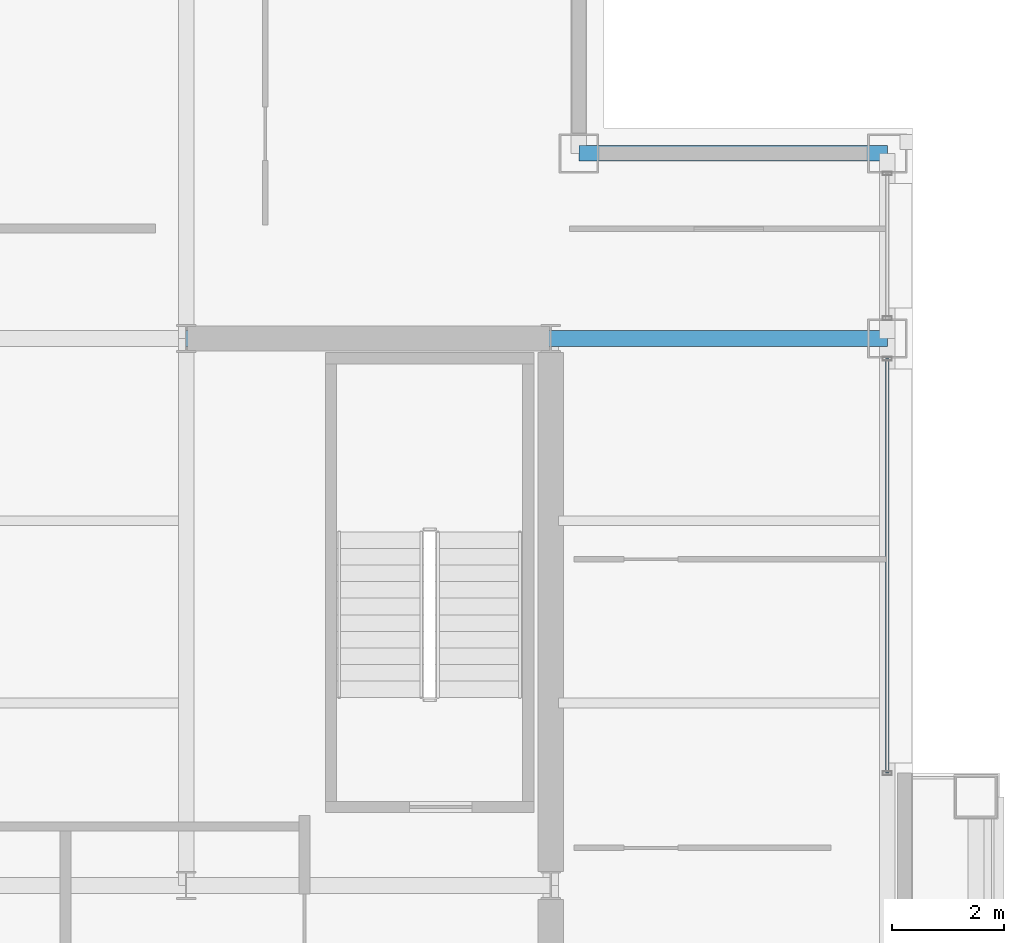
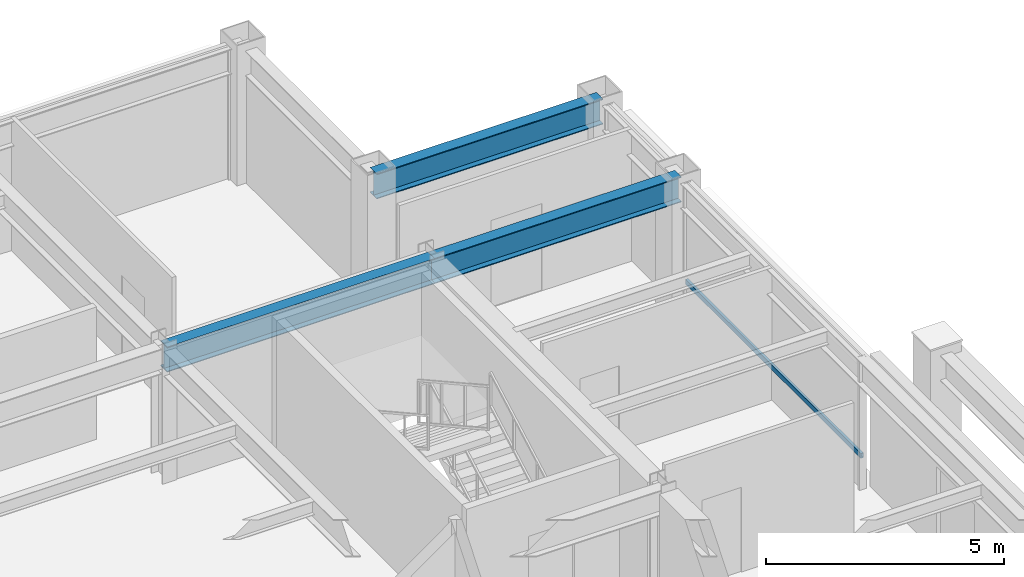
# One storey, part 17 of 29: 3 beams, 1 member, 1 element without a shape of its own.
"""IFC4 building model written with IfcOpenShell, lengths in metres."""

from ifc_helpers import new_model, si_unit, direction, frame, origin, origin_2d, place, context, subcontext, project, spatial, hollow_rectangle, i_section, extrude, material, layer, layer_set, material_profile, profile_set, type_object, element, aggregate, save


model = new_model("IFC4")

# Units and contexts
model_context = context("Model", 3, precision=1e-05, world=origin(), true_north=direction((0.0, 1.0)))
body_context = subcontext(model_context, "Body", "Model", "MODEL_VIEW")
ifc_project = project(units=[si_unit("LENGTHUNIT", "METRE"), si_unit("AREAUNIT", "SQUARE_METRE"), si_unit("VOLUMEUNIT", "CUBIC_METRE"), si_unit("PLANEANGLEUNIT", "RADIAN"), si_unit("MASSUNIT", "GRAM", prefix="KILO")], contexts=[model_context])

# Site, building, storey
site_placement = place(None, origin())
site = spatial("IfcSite", under=ifc_project, at=site_placement, CompositionType="ELEMENT")
building_placement = place(site_placement, origin())
building = spatial("IfcBuilding", under=site, at=building_placement, Name="Brelmoor Portico Tower", CompositionType="ELEMENT")
storey_placement = place(building_placement, frame((0.0, 0.0, 201.89990234375)))
storey = spatial("IfcBuildingStorey", under=building, at=storey_placement, Name="L53", CompositionType="ELEMENT", Elevation=201.89990234375)

# Beams
ifc_material_1 = material(Name="Steel Q355B", Category="steel")
ifc_material_profile_1 = material_profile(ifc_material_1, i_section(OverallWidth=0.280029296875, OverallDepth=0.64990234375, WebThickness=0.012939453125, FlangeThickness=0.02197265625, at=origin_2d()), Name="HN 650x280x13x22")
ifc_profile_set_1 = profile_set([ifc_material_profile_1], Name="Steel Q355B")
beam_type_1 = type_object("IfcBeamType", Name="BM-PG-650", PredefinedType="BEAM", material=ifc_profile_set_1)
beam_1_placement = place(storey_placement, frame((8.050048828125, 9.75, 3.0751953125), z_axis=(1.0, 0.0, 0.0), x_axis=(0.0, 1.0, 0.0)))
element("IfcBeam", 1, at=beam_1_placement, inside=storey, type_object=beam_type_1, Name="L53 Primary Floor Girder PG-22", PredefinedType="BEAM", context=body_context, shape_type="SweptSolid", body=[
    extrude(i_section(OverallWidth=0.280029296875, OverallDepth=0.64990234375, WebThickness=0.012939453125, FlangeThickness=0.02197265625, at=origin_2d()), origin(), (0.0, 0.0, 1.0), 6.5),
])
beam_2_placement = place(storey_placement, frame((14.550048828125, 9.75, 3.0751953125), z_axis=(1.0, 0.0, 0.0), x_axis=(0.0, 1.0, 0.0)))
element("IfcBeam", 2, at=beam_2_placement, inside=storey, type_object=beam_type_1, Name="L53 Primary Floor Girder PG-23", PredefinedType="BEAM", context=body_context, shape_type="SweptSolid", body=[
    extrude(i_section(OverallWidth=0.280029296875, OverallDepth=0.64990234375, WebThickness=0.012939453125, FlangeThickness=0.02197265625, at=origin_2d()), origin(), (0.0, 0.0, 1.0), 6.0),
])
ifc_material_profile_2 = material_profile(ifc_material_1, i_section(OverallWidth=0.280029296875, OverallDepth=0.64990234375, WebThickness=0.012939453125, FlangeThickness=0.02197265625, at=origin_2d()), Name="HN 650x280x13x22")
ifc_profile_set_2 = profile_set([ifc_material_profile_2], Name="Steel Q355B")
beam_type_2 = type_object("IfcBeamType", Name="BM-SP-650", PredefinedType="SPANDREL", material=ifc_profile_set_2)
beam_3_placement = place(storey_placement, frame((15.050048828125, 13.050048828125, 3.0751953125), z_axis=(1.0, 0.0, 0.0), x_axis=(0.0, 1.0, 0.0)))
element("IfcBeam", 3, at=beam_3_placement, inside=storey, type_object=beam_type_2, Name="L53 Perimeter Spandrel Beam SP-07", PredefinedType="SPANDREL", context=body_context, shape_type="SweptSolid", body=[
    extrude(i_section(OverallWidth=0.280029296875, OverallDepth=0.64990234375, WebThickness=0.012939453125, FlangeThickness=0.02197265625, at=origin_2d()), origin(), (0.0, 0.0, 1.0), 5.5),
])

# Curtain wall, member
ifc_material_2 = material(Name="Anodised Aluminium Alloy 6063-T6", Category="aluminium")
ifc_layer = layer(ifc_material_2, 0.179931640625)
ifc_layer_set = layer_set([ifc_layer], Name="Anodised Aluminium Alloy 6063-T6")
curtain_wall_type = type_object("IfcCurtainWallType", Name="CW-TOWER-Z3", PredefinedType="NOTDEFINED", material=ifc_layer_set)
curtain_wall_placement = place(storey_placement, origin())
curtain_wall = element("IfcCurtainWall", 4, at=curtain_wall_placement, inside=storey, type_object=curtain_wall_type, Name="L53 Curtain Wall CW-L53-4R-1", PredefinedType="NOTDEFINED")
ifc_material_profile_3 = material_profile(ifc_material_2, hollow_rectangle(XDim=0.06005859375, YDim=0.125, WallThickness=0.00341796875, at=origin_2d()), Name="ALU TRANSOM 60x125")
ifc_profile_set_3 = profile_set([ifc_material_profile_3], Name="Anodised Aluminium Alloy 6063-T6")
member_type = type_object("IfcMemberType", Name="MB-CW-TRAN-125", PredefinedType="USERDEFINED", material=ifc_profile_set_3)
member_placement = place(storey_placement, frame((20.550048828125, 2.0, 0.85009765625), z_axis=(0.0, 1.0, 0.0), x_axis=(-1.0, 0.0, 0.0)))
member = element("IfcMember", 5, at=member_placement, type_object=member_type, Name="CW-L53-4R-1 Transom 1-00", ObjectType="TRANSOM", PredefinedType="USERDEFINED", context=body_context, shape_type="SweptSolid", body=[
    extrude(hollow_rectangle(XDim=0.06005859375, YDim=0.125, WallThickness=0.00341796875, at=origin_2d()), origin(), (0.0, 0.0, 1.0), 7.389892578125),
])
aggregate(curtain_wall, [member])

save(model, "model.ifc")
